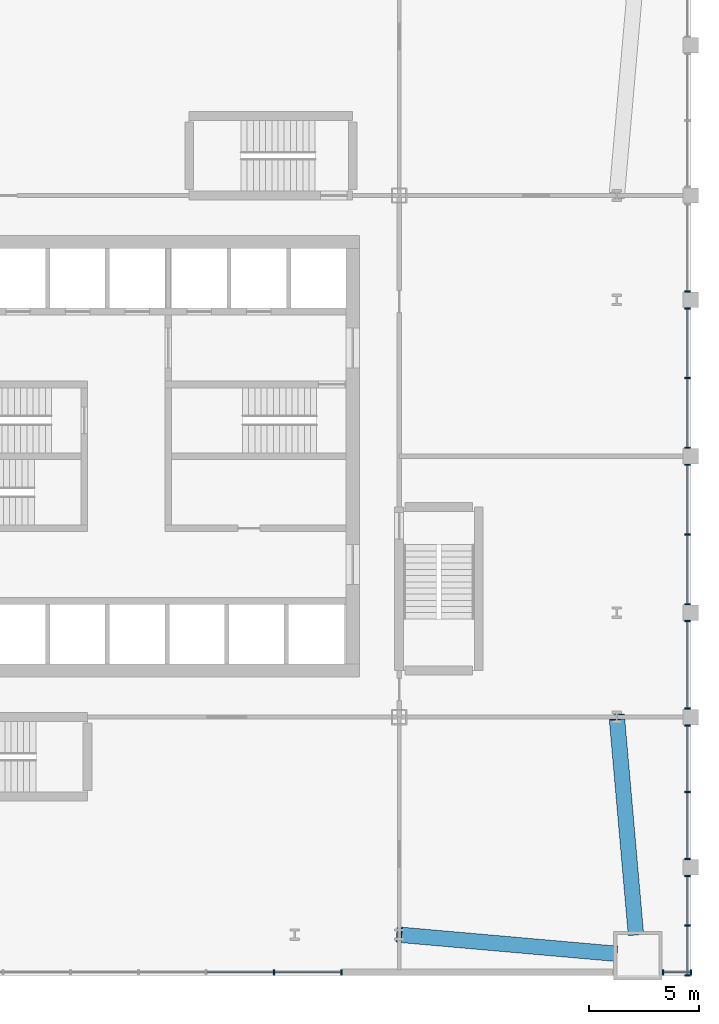
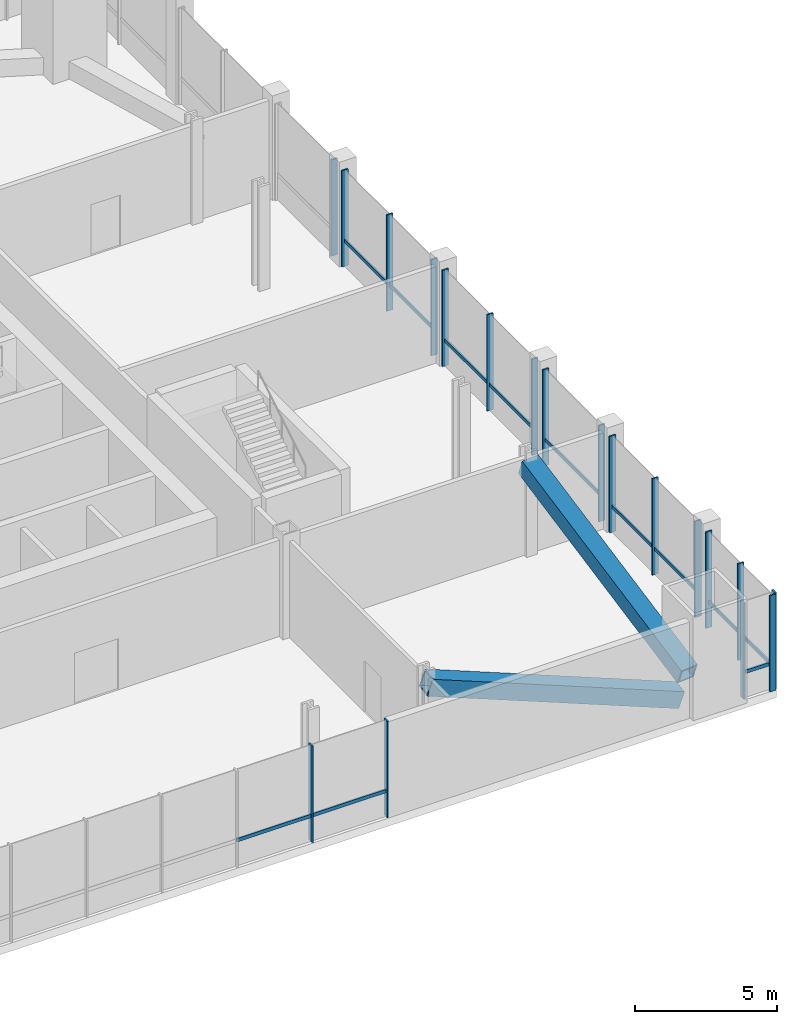
# One storey, part 3 of 15: 33 members, 8 elements without a shape of their own.
"""IFC4 building model written with IfcOpenShell, lengths in metres."""

from ifc_helpers import new_model, si_unit, direction, frame, origin, origin_2d, place, context, subcontext, project, spatial, rectangle, hollow_rectangle, extrude, material, material_profile, profile_set, type_object, element, aggregate, save


model = new_model("IFC4")

# Units and contexts
model_context = context("Model", 3, precision=1e-05, world=origin(), true_north=direction((0.0, 1.0)))
body_context = subcontext(model_context, "Body", "Model", "MODEL_VIEW")
ifc_project = project(units=[si_unit("LENGTHUNIT", "METRE"), si_unit("AREAUNIT", "SQUARE_METRE"), si_unit("VOLUMEUNIT", "CUBIC_METRE"), si_unit("PLANEANGLEUNIT", "RADIAN"), si_unit("MASSUNIT", "GRAM", prefix="KILO")], contexts=[model_context])

# Site, building, storey
site_placement = place(None, origin())
site = spatial("IfcSite", under=ifc_project, at=site_placement, CompositionType="ELEMENT")
building_placement = place(site_placement, origin())
building = spatial("IfcBuilding", under=site, at=building_placement, Name="Turquesa Mirador Hotel Tower", CompositionType="ELEMENT")
storey_placement = place(building_placement, frame((0.0, 0.0, 16.0)))
storey = spatial("IfcBuildingStorey", under=building, at=storey_placement, Name="L03", CompositionType="ELEMENT", Elevation=16.0)

# Curtain wall, members
ifc_material_1 = material(Name="Aluminium extrusion", Category="aluminium")
curtain_wall_type = type_object("IfcCurtainWallType", Name="CW-3 PODIUM UPPER CURTAIN WALL", PredefinedType="USERDEFINED", material=ifc_material_1)
curtain_wall_1_placement = place(storey_placement, origin())
curtain_wall_1 = element("IfcCurtainWall", 1, at=curtain_wall_1_placement, inside=storey, type_object=curtain_wall_type, Name="CW-3 PODIUM UPPER CURTAIN WALL L03", ObjectType="CURTAIN WALL", PredefinedType="USERDEFINED")
ifc_material_2 = material(Name="Aluminium extrusion", Category="aluminium")
ifc_material_profile_1 = material_profile(ifc_material_2, rectangle(XDim=0.06494140625, YDim=0.25, at=origin_2d()), Name="MULLION 65X250")
ifc_profile_set_1 = profile_set([ifc_material_profile_1], Name="Aluminium extrusion")
member_type_1 = type_object("IfcMemberType", Name="CW MULLION 65X250", PredefinedType="MULLION", material=ifc_profile_set_1)
member_1_placement = place(storey_placement, frame((61.133056640625, 21.64990234375, 0.0), z_axis=(0.0, 0.0, 1.0), x_axis=(1.0, 0.0, 0.0)))
member_1 = element("IfcMember", 2, at=member_1_placement, type_object=member_type_1, Name="Mullion", PredefinedType="MULLION", context=body_context, shape_type="SweptSolid", body=[
    extrude(rectangle(XDim=0.06494140625, YDim=0.25, at=origin_2d()), origin(), (0.0, 0.0, 1.0), 4.14990234375),
])
member_2_placement = place(storey_placement, frame((64.199462890625, 21.64990234375, 0.0), z_axis=(0.0, 0.0, 1.0), x_axis=(1.0, 0.0, 0.0)))
member_2 = element("IfcMember", 3, at=member_2_placement, type_object=member_type_1, Name="Mullion", PredefinedType="MULLION", context=body_context, shape_type="SweptSolid", body=[
    extrude(rectangle(XDim=0.06494140625, YDim=0.25, at=origin_2d()), origin(), (0.0, 0.0, 1.0), 4.14990234375),
])

curtain_wall_2_placement = place(storey_placement, origin())
curtain_wall_2 = element("IfcCurtainWall", 4, at=curtain_wall_2_placement, inside=storey, type_object=curtain_wall_type, Name="CW-3 PODIUM UPPER CURTAIN WALL L03", ObjectType="CURTAIN WALL", PredefinedType="USERDEFINED")
member_3_placement = place(storey_placement, frame((78.734619140625, 21.64990234375, 0.0), z_axis=(0.0, 0.0, 1.0), x_axis=(1.0, 0.0, 0.0)))
member_3 = element("IfcMember", 5, at=member_3_placement, type_object=member_type_1, Name="Mullion", PredefinedType="MULLION", context=body_context, shape_type="SweptSolid", body=[
    extrude(rectangle(XDim=0.06494140625, YDim=0.25, at=origin_2d()), origin(), (0.0, 0.0, 1.0), 4.14990234375),
])
member_4_placement = place(storey_placement, frame((80.0, 21.64990234375, 0.0), z_axis=(0.0, 0.0, 1.0), x_axis=(1.0, 0.0, 0.0)))
member_4 = element("IfcMember", 6, at=member_4_placement, type_object=member_type_1, Name="Mullion", PredefinedType="MULLION", context=body_context, shape_type="SweptSolid", body=[
    extrude(rectangle(XDim=0.06494140625, YDim=0.25, at=origin_2d()), origin(), (0.0, 0.0, 1.0), 4.14990234375),
])

curtain_wall_3_placement = place(storey_placement, origin())
curtain_wall_3 = element("IfcCurtainWall", 7, at=curtain_wall_3_placement, inside=storey, type_object=curtain_wall_type, Name="CW-3 PODIUM UPPER CURTAIN WALL L03", ObjectType="CURTAIN WALL", PredefinedType="USERDEFINED")
member_5_placement = place(storey_placement, frame((79.85009765625, 21.5, 0.0), z_axis=(0.0, 0.0, 1.0), x_axis=(0.0, 1.0, 0.0)))
member_5 = element("IfcMember", 8, at=member_5_placement, type_object=member_type_1, Name="Mullion", PredefinedType="MULLION", context=body_context, shape_type="SweptSolid", body=[
    extrude(rectangle(XDim=0.06494140625, YDim=0.25, at=origin_2d()), origin(), (0.0, 0.0, 1.0), 4.14990234375),
])
member_6_placement = place(storey_placement, frame((79.85009765625, 23.7578125, 0.0), z_axis=(0.0, 0.0, 1.0), x_axis=(0.0, 1.0, 0.0)))
member_6 = element("IfcMember", 9, at=member_6_placement, type_object=member_type_1, Name="Mullion", PredefinedType="MULLION", context=body_context, shape_type="SweptSolid", body=[
    extrude(rectangle(XDim=0.06494140625, YDim=0.25, at=origin_2d()), origin(), (0.0, 0.0, 1.0), 4.14990234375),
])
member_7_placement = place(storey_placement, frame((79.85009765625, 26.015380859375, 0.0), z_axis=(0.0, 0.0, 1.0), x_axis=(0.0, 1.0, 0.0)))
member_7 = element("IfcMember", 10, at=member_7_placement, type_object=member_type_1, Name="Mullion", PredefinedType="MULLION", context=body_context, shape_type="SweptSolid", body=[
    extrude(rectangle(XDim=0.06494140625, YDim=0.25, at=origin_2d()), origin(), (0.0, 0.0, 1.0), 4.14990234375),
])

curtain_wall_4_placement = place(storey_placement, origin())
curtain_wall_4 = element("IfcCurtainWall", 11, at=curtain_wall_4_placement, inside=storey, type_object=curtain_wall_type, Name="CW-3 PODIUM UPPER CURTAIN WALL L03", ObjectType="CURTAIN WALL", PredefinedType="USERDEFINED")
member_8_placement = place(storey_placement, frame((79.85009765625, 26.784423828125, 0.0), z_axis=(0.0, 0.0, 1.0), x_axis=(0.0, 1.0, 0.0)))
member_8 = element("IfcMember", 12, at=member_8_placement, type_object=member_type_1, Name="Mullion", PredefinedType="MULLION", context=body_context, shape_type="SweptSolid", body=[
    extrude(rectangle(XDim=0.06494140625, YDim=0.25, at=origin_2d()), origin(), (0.0, 0.0, 1.0), 4.14990234375),
])
member_9_placement = place(storey_placement, frame((79.85009765625, 29.800048828125, 0.0), z_axis=(0.0, 0.0, 1.0), x_axis=(0.0, 1.0, 0.0)))
member_9 = element("IfcMember", 13, at=member_9_placement, type_object=member_type_1, Name="Mullion", PredefinedType="MULLION", context=body_context, shape_type="SweptSolid", body=[
    extrude(rectangle(XDim=0.06494140625, YDim=0.25, at=origin_2d()), origin(), (0.0, 0.0, 1.0), 4.14990234375),
])
member_10_placement = place(storey_placement, frame((79.85009765625, 32.8154296875, 0.0), z_axis=(0.0, 0.0, 1.0), x_axis=(0.0, 1.0, 0.0)))
member_10 = element("IfcMember", 14, at=member_10_placement, type_object=member_type_1, Name="Mullion", PredefinedType="MULLION", context=body_context, shape_type="SweptSolid", body=[
    extrude(rectangle(XDim=0.06494140625, YDim=0.25, at=origin_2d()), origin(), (0.0, 0.0, 1.0), 4.14990234375),
])

curtain_wall_5_placement = place(storey_placement, origin())
curtain_wall_5 = element("IfcCurtainWall", 15, at=curtain_wall_5_placement, inside=storey, type_object=curtain_wall_type, Name="CW-3 PODIUM UPPER CURTAIN WALL L03", ObjectType="CURTAIN WALL", PredefinedType="USERDEFINED")
member_11_placement = place(storey_placement, frame((79.85009765625, 33.58447265625, 0.0), z_axis=(0.0, 0.0, 1.0), x_axis=(0.0, 1.0, 0.0)))
member_11 = element("IfcMember", 16, at=member_11_placement, type_object=member_type_1, Name="Mullion", PredefinedType="MULLION", context=body_context, shape_type="SweptSolid", body=[
    extrude(rectangle(XDim=0.06494140625, YDim=0.25, at=origin_2d()), origin(), (0.0, 0.0, 1.0), 4.14990234375),
])
member_12_placement = place(storey_placement, frame((79.85009765625, 37.535400390625, 0.0), z_axis=(0.0, 0.0, 1.0), x_axis=(0.0, 1.0, 0.0)))
member_12 = element("IfcMember", 17, at=member_12_placement, type_object=member_type_1, Name="Mullion", PredefinedType="MULLION", context=body_context, shape_type="SweptSolid", body=[
    extrude(rectangle(XDim=0.06494140625, YDim=0.25, at=origin_2d()), origin(), (0.0, 0.0, 1.0), 4.14990234375),
])

curtain_wall_6_placement = place(storey_placement, origin())
curtain_wall_6 = element("IfcCurtainWall", 18, at=curtain_wall_6_placement, inside=storey, type_object=curtain_wall_type, Name="CW-3 PODIUM UPPER CURTAIN WALL L03", ObjectType="CURTAIN WALL", PredefinedType="USERDEFINED")
member_13_placement = place(storey_placement, frame((79.85009765625, 38.304443359375, 0.0), z_axis=(0.0, 0.0, 1.0), x_axis=(0.0, 1.0, 0.0)))
member_13 = element("IfcMember", 19, at=member_13_placement, type_object=member_type_1, Name="Mullion", PredefinedType="MULLION", context=body_context, shape_type="SweptSolid", body=[
    extrude(rectangle(XDim=0.06494140625, YDim=0.25, at=origin_2d()), origin(), (0.0, 0.0, 1.0), 4.14990234375),
])
member_14_placement = place(storey_placement, frame((79.85009765625, 41.4599609375, 0.0), z_axis=(0.0, 0.0, 1.0), x_axis=(0.0, 1.0, 0.0)))
member_14 = element("IfcMember", 20, at=member_14_placement, type_object=member_type_1, Name="Mullion", PredefinedType="MULLION", context=body_context, shape_type="SweptSolid", body=[
    extrude(rectangle(XDim=0.06494140625, YDim=0.25, at=origin_2d()), origin(), (0.0, 0.0, 1.0), 4.14990234375),
])
member_15_placement = place(storey_placement, frame((79.85009765625, 44.615478515625, 0.0), z_axis=(0.0, 0.0, 1.0), x_axis=(0.0, 1.0, 0.0)))
member_15 = element("IfcMember", 21, at=member_15_placement, type_object=member_type_1, Name="Mullion", PredefinedType="MULLION", context=body_context, shape_type="SweptSolid", body=[
    extrude(rectangle(XDim=0.06494140625, YDim=0.25, at=origin_2d()), origin(), (0.0, 0.0, 1.0), 4.14990234375),
])

curtain_wall_7_placement = place(storey_placement, origin())
curtain_wall_7 = element("IfcCurtainWall", 22, at=curtain_wall_7_placement, inside=storey, type_object=curtain_wall_type, Name="CW-3 PODIUM UPPER CURTAIN WALL L03", ObjectType="CURTAIN WALL", PredefinedType="USERDEFINED")
member_16_placement = place(storey_placement, frame((79.85009765625, 45.384521484375, 0.0), z_axis=(0.0, 0.0, 1.0), x_axis=(0.0, 1.0, 0.0)))
member_16 = element("IfcMember", 23, at=member_16_placement, type_object=member_type_1, Name="Mullion", PredefinedType="MULLION", context=body_context, shape_type="SweptSolid", body=[
    extrude(rectangle(XDim=0.06494140625, YDim=0.25, at=origin_2d()), origin(), (0.0, 0.0, 1.0), 4.14990234375),
])
member_17_placement = place(storey_placement, frame((79.85009765625, 48.5400390625, 0.0), z_axis=(0.0, 0.0, 1.0), x_axis=(0.0, 1.0, 0.0)))
member_17 = element("IfcMember", 24, at=member_17_placement, type_object=member_type_1, Name="Mullion", PredefinedType="MULLION", context=body_context, shape_type="SweptSolid", body=[
    extrude(rectangle(XDim=0.06494140625, YDim=0.25, at=origin_2d()), origin(), (0.0, 0.0, 1.0), 4.14990234375),
])
member_18_placement = place(storey_placement, frame((79.85009765625, 51.695556640625, 0.0), z_axis=(0.0, 0.0, 1.0), x_axis=(0.0, 1.0, 0.0)))
member_18 = element("IfcMember", 25, at=member_18_placement, type_object=member_type_1, Name="Mullion", PredefinedType="MULLION", context=body_context, shape_type="SweptSolid", body=[
    extrude(rectangle(XDim=0.06494140625, YDim=0.25, at=origin_2d()), origin(), (0.0, 0.0, 1.0), 4.14990234375),
])

# Curtain wall, member
curtain_wall_8_placement = place(storey_placement, origin())
curtain_wall_8 = element("IfcCurtainWall", 26, at=curtain_wall_8_placement, inside=storey, type_object=curtain_wall_type, Name="CW-3 PODIUM UPPER CURTAIN WALL L03", ObjectType="CURTAIN WALL", PredefinedType="USERDEFINED")
member_19_placement = place(storey_placement, frame((79.85009765625, 52.464599609375, 0.0), z_axis=(0.0, 0.0, 1.0), x_axis=(0.0, 1.0, 0.0)))
member_19 = element("IfcMember", 27, at=member_19_placement, type_object=member_type_1, Name="Mullion", PredefinedType="MULLION", context=body_context, shape_type="SweptSolid", body=[
    extrude(rectangle(XDim=0.06494140625, YDim=0.25, at=origin_2d()), origin(), (0.0, 0.0, 1.0), 4.14990234375),
])
aggregate(curtain_wall_8, [member_19])

# Member
ifc_material_3 = material(Name="Aluminium extrusion", Category="aluminium")
ifc_material_profile_2 = material_profile(ifc_material_3, rectangle(XDim=0.06494140625, YDim=0.14990234375, at=origin_2d()), Name="TRANSOM 65X150")
ifc_profile_set_2 = profile_set([ifc_material_profile_2], Name="Aluminium extrusion")
member_type_2 = type_object("IfcMemberType", Name="CW TRANSOM 65X150", PredefinedType="USERDEFINED", material=ifc_profile_set_2)
member_20_placement = place(storey_placement, frame((58.09912109375, 21.64990234375, 1.10009765625), z_axis=(1.0, 0.0, 0.0), x_axis=(0.0, 1.0, 0.0)))
member_20 = element("IfcMember", 28, at=member_20_placement, type_object=member_type_2, Name="Transom", ObjectType="TRANSOM", PredefinedType="USERDEFINED", context=body_context, shape_type="SweptSolid", body=[
    extrude(rectangle(XDim=0.06494140625, YDim=0.14990234375, at=origin_2d()), origin(), (0.0, 0.0, 1.0), 3.00146484375),
])

member_21_placement = place(storey_placement, frame((61.16552734375, 21.64990234375, 1.10009765625), z_axis=(1.0, 0.0, 0.0), x_axis=(0.0, 1.0, 0.0)))
member_21 = element("IfcMember", 29, at=member_21_placement, type_object=member_type_2, Name="Transom", ObjectType="TRANSOM", PredefinedType="USERDEFINED", context=body_context, shape_type="SweptSolid", body=[
    extrude(rectangle(XDim=0.06494140625, YDim=0.14990234375, at=origin_2d()), origin(), (0.0, 0.0, 1.0), 3.00146484375),
])

aggregate(curtain_wall_1, [member_1, member_2, member_20, member_21])

member_22_placement = place(storey_placement, frame((78.76708984375, 21.64990234375, 1.10009765625), z_axis=(1.0, 0.0, 0.0), x_axis=(0.0, 1.0, 0.0)))
member_22 = element("IfcMember", 30, at=member_22_placement, type_object=member_type_2, Name="Transom", ObjectType="TRANSOM", PredefinedType="USERDEFINED", context=body_context, shape_type="SweptSolid", body=[
    extrude(rectangle(XDim=0.06494140625, YDim=0.14990234375, at=origin_2d()), origin(), (0.0, 0.0, 1.0), 1.200439453125),
])

aggregate(curtain_wall_2, [member_3, member_4, member_22])

member_23_placement = place(storey_placement, frame((79.85009765625, 21.532470703125, 1.10009765625), z_axis=(0.0, 1.0, 0.0), x_axis=(-1.0, 0.0, 0.0)))
member_23 = element("IfcMember", 31, at=member_23_placement, type_object=member_type_2, Name="Transom", ObjectType="TRANSOM", PredefinedType="USERDEFINED", context=body_context, shape_type="SweptSolid", body=[
    extrude(rectangle(XDim=0.06494140625, YDim=0.14990234375, at=origin_2d()), origin(), (0.0, 0.0, 1.0), 2.19287109375),
])

member_24_placement = place(storey_placement, frame((79.85009765625, 23.790283203125, 1.10009765625), z_axis=(0.0, 1.0, 0.0), x_axis=(-1.0, 0.0, 0.0)))
member_24 = element("IfcMember", 32, at=member_24_placement, type_object=member_type_2, Name="Transom", ObjectType="TRANSOM", PredefinedType="USERDEFINED", context=body_context, shape_type="SweptSolid", body=[
    extrude(rectangle(XDim=0.06494140625, YDim=0.14990234375, at=origin_2d()), origin(), (0.0, 0.0, 1.0), 2.192626953125),
])

aggregate(curtain_wall_3, [member_5, member_6, member_7, member_23, member_24])

member_25_placement = place(storey_placement, frame((79.85009765625, 26.81689453125, 1.10009765625), z_axis=(0.0, 1.0, 0.0), x_axis=(-1.0, 0.0, 0.0)))
member_25 = element("IfcMember", 33, at=member_25_placement, type_object=member_type_2, Name="Transom", ObjectType="TRANSOM", PredefinedType="USERDEFINED", context=body_context, shape_type="SweptSolid", body=[
    extrude(rectangle(XDim=0.06494140625, YDim=0.14990234375, at=origin_2d()), origin(), (0.0, 0.0, 1.0), 2.95068359375),
])

member_26_placement = place(storey_placement, frame((79.85009765625, 29.83251953125, 1.10009765625), z_axis=(0.0, 1.0, 0.0), x_axis=(-1.0, 0.0, 0.0)))
member_26 = element("IfcMember", 34, at=member_26_placement, type_object=member_type_2, Name="Transom", ObjectType="TRANSOM", PredefinedType="USERDEFINED", context=body_context, shape_type="SweptSolid", body=[
    extrude(rectangle(XDim=0.06494140625, YDim=0.14990234375, at=origin_2d()), origin(), (0.0, 0.0, 1.0), 2.950439453125),
])

aggregate(curtain_wall_4, [member_8, member_9, member_10, member_25, member_26])

member_27_placement = place(storey_placement, frame((79.85009765625, 33.616943359375, 1.10009765625), z_axis=(0.0, 1.0, 0.0), x_axis=(-1.0, 0.0, 0.0)))
member_27 = element("IfcMember", 35, at=member_27_placement, type_object=member_type_2, Name="Transom", ObjectType="TRANSOM", PredefinedType="USERDEFINED", context=body_context, shape_type="SweptSolid", body=[
    extrude(rectangle(XDim=0.06494140625, YDim=0.14990234375, at=origin_2d()), origin(), (0.0, 0.0, 1.0), 3.885986328125),
])

aggregate(curtain_wall_5, [member_11, member_12, member_27])

member_28_placement = place(storey_placement, frame((79.85009765625, 38.3369140625, 1.10009765625), z_axis=(0.0, 1.0, 0.0), x_axis=(-1.0, 0.0, 0.0)))
member_28 = element("IfcMember", 36, at=member_28_placement, type_object=member_type_2, Name="Transom", ObjectType="TRANSOM", PredefinedType="USERDEFINED", context=body_context, shape_type="SweptSolid", body=[
    extrude(rectangle(XDim=0.06494140625, YDim=0.14990234375, at=origin_2d()), origin(), (0.0, 0.0, 1.0), 3.090576171875),
])

member_29_placement = place(storey_placement, frame((79.85009765625, 41.492431640625, 1.10009765625), z_axis=(0.0, 1.0, 0.0), x_axis=(-1.0, 0.0, 0.0)))
member_29 = element("IfcMember", 37, at=member_29_placement, type_object=member_type_2, Name="Transom", ObjectType="TRANSOM", PredefinedType="USERDEFINED", context=body_context, shape_type="SweptSolid", body=[
    extrude(rectangle(XDim=0.06494140625, YDim=0.14990234375, at=origin_2d()), origin(), (0.0, 0.0, 1.0), 3.090576171875),
])

aggregate(curtain_wall_6, [member_13, member_14, member_15, member_28, member_29])

member_30_placement = place(storey_placement, frame((79.85009765625, 45.4169921875, 1.10009765625), z_axis=(0.0, 1.0, 0.0), x_axis=(-1.0, 0.0, 0.0)))
member_30 = element("IfcMember", 38, at=member_30_placement, type_object=member_type_2, Name="Transom", ObjectType="TRANSOM", PredefinedType="USERDEFINED", context=body_context, shape_type="SweptSolid", body=[
    extrude(rectangle(XDim=0.06494140625, YDim=0.14990234375, at=origin_2d()), origin(), (0.0, 0.0, 1.0), 3.090576171875),
])

member_31_placement = place(storey_placement, frame((79.85009765625, 48.572509765625, 1.10009765625), z_axis=(0.0, 1.0, 0.0), x_axis=(-1.0, 0.0, 0.0)))
member_31 = element("IfcMember", 39, at=member_31_placement, type_object=member_type_2, Name="Transom", ObjectType="TRANSOM", PredefinedType="USERDEFINED", context=body_context, shape_type="SweptSolid", body=[
    extrude(rectangle(XDim=0.06494140625, YDim=0.14990234375, at=origin_2d()), origin(), (0.0, 0.0, 1.0), 3.090576171875),
])

aggregate(curtain_wall_7, [member_16, member_17, member_18, member_30, member_31])

# Members
ifc_material_4 = material(Name="Steel ASTM A572 Grade 50", Category="steel")
ifc_material_profile_3 = material_profile(ifc_material_4, hollow_rectangle(XDim=0.699951171875, YDim=0.699951171875, WallThickness=0.06005859375, at=origin_2d()), Name="BOX700X700X60")
ifc_profile_set_3 = profile_set([ifc_material_profile_3], Name="Steel ASTM A572 Grade 50")
member_type_3 = type_object("IfcMemberType", Name="PODIUM BRACE BOX700X700X60", PredefinedType="BRACE", material=ifc_profile_set_3)
for number, where, z_axis, x_axis, name in (
    (40, (76.550048828125, 22.492431640625, 0.369384765625), (-0.940078203695, 0.082694679727, 0.330778718908), (-0.087627369437, -0.996153323603, 0.0), "Podium brace S"),
    (41, (77.507568359375, 23.449951171875, 0.369384765625), (-0.082694679727, 0.940078203695, 0.330778718908), (-0.996153323603, -0.087627369437, 0.0), "Podium brace E"),
):
    element("IfcMember", number, at=place(storey_placement, frame(where, z_axis=z_axis, x_axis=x_axis)), inside=storey, type_object=member_type_3, Name=name, PredefinedType="BRACE", context=body_context, shape_type="SweptSolid", body=[
        extrude(hollow_rectangle(XDim=0.699951171875, YDim=0.699951171875, WallThickness=0.06005859375, at=origin_2d()), origin(), (0.0, 0.0, 1.0), 10.37158203125),
    ])

save(model, "model.ifc")
